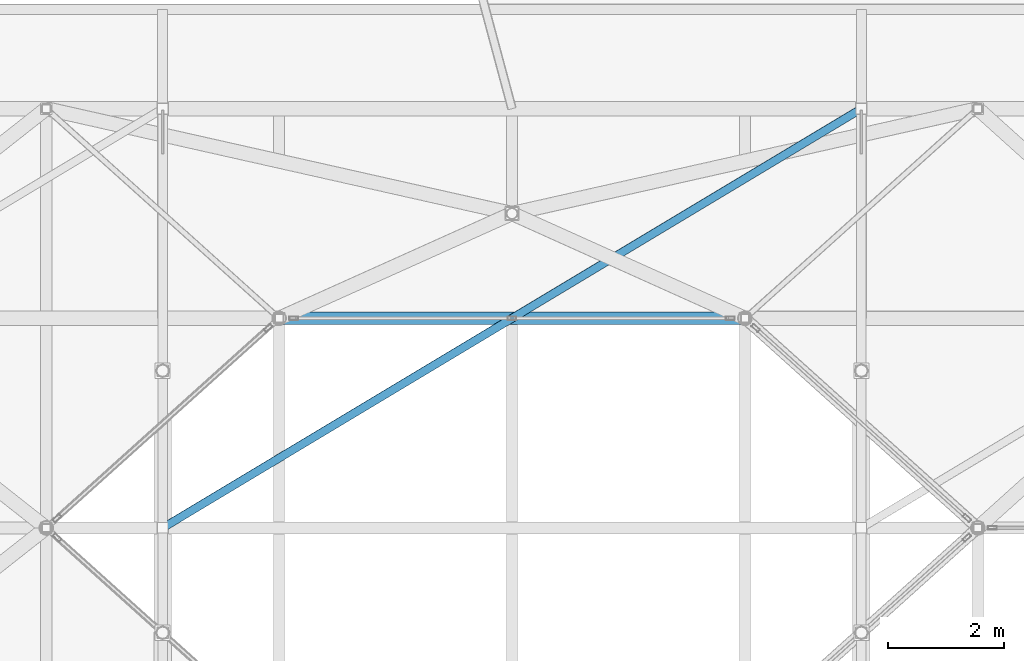
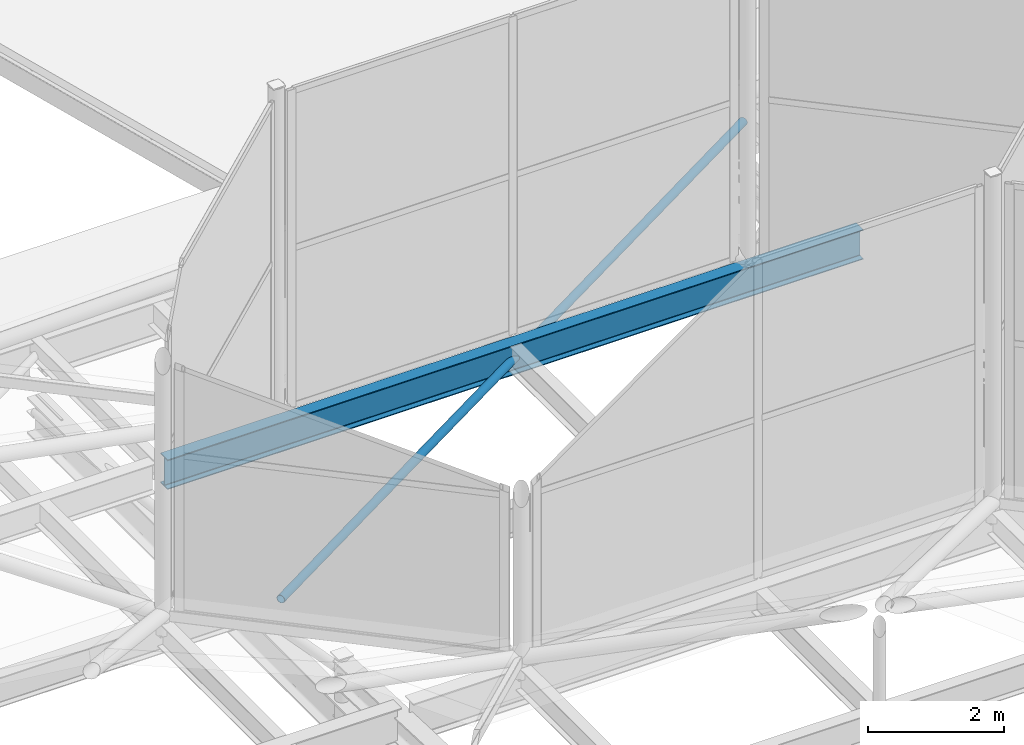
# One storey, part 73 of 239: 1 beam, 1 member.
"""IFC4 building model written with IfcOpenShell, lengths in metres."""

import ifcopenshell
import ifcopenshell.guid

model = None  # the IFC model being written
_history = None  # IfcOwnerHistory: only IFC2X3 demands one
_inside = {}  # id of a spatial element -> (the spatial element, [elements in it])
_under = {}  # id of a project, library or spatial element -> (it, [spatial elements below it])
_declared = {}  # id of a project -> (the project, [libraries it declares])
_typed = {}  # id of a type object -> (the type object, [elements of that type])
_made_of = {}  # id of a material, layer set ... -> (it, [elements and type objects made of it])


def new_model(schema):
    """Start an empty IFC model of exactly this schema.

    Asked for "IFC4X3", IfcOpenShell would pick the latest addendum, in which some entities
    have other attributes; the version numbers below select the first issue.
    IFC2X3 requires an IfcOwnerHistory on every rooted entity: one is made here for all.
    """
    global model, _history
    if schema == "IFC4X3":
        model = ifcopenshell.file(schema_version=(4, 3, 0, 0))
    else:
        model = ifcopenshell.file(schema=schema)
    _inside.clear()
    _under.clear()
    _declared.clear()
    _typed.clear()
    _made_of.clear()
    _history = None
    if model.schema == "IFC2X3":
        org = make("IfcOrganization", Name="unknown")
        user = make(
            "IfcPersonAndOrganization",
            ThePerson=make("IfcPerson", FamilyName="unknown"),
            TheOrganization=org,
        )
        app = make(
            "IfcApplication",
            ApplicationDeveloper=org,
            Version="unknown",
            ApplicationFullName="unknown",
            ApplicationIdentifier="unknown",
        )
        _history = make(
            "IfcOwnerHistory",
            OwningUser=user,
            OwningApplication=app,
            ChangeAction="ADDED",
            CreationDate=0,
        )
    return model


def make(cls, **values):
    """One entity of the class cls with the attributes given. An attribute that is None is left unset."""
    return model.create_entity(
        cls, **{name: value for name, value in values.items() if value is not None}
    )


def rooted(cls, **values):
    """An entity with a GlobalId (a new one), such as an element, a storey or a relation."""
    return make(cls, GlobalId=ifcopenshell.guid.new(), OwnerHistory=_history, **values)


def si_unit(unit_type, name, prefix=None):
    """IfcSIUnit, for example si_unit("LENGTHUNIT", "METRE", prefix="MILLI")."""
    return make("IfcSIUnit", UnitType=unit_type, Prefix=prefix, Name=name)


def assignment(units):
    """IfcUnitAssignment: the units of a project."""
    return None if units is None else make("IfcUnitAssignment", Units=units)


def point(xyz):
    """IfcCartesianPoint."""
    return None if xyz is None else make("IfcCartesianPoint", Coordinates=xyz)


def direction(xyz):
    """IfcDirection."""
    return None if xyz is None else make("IfcDirection", DirectionRatios=xyz)


def frame(location, z_axis=None, x_axis=None):
    """IfcAxis2Placement3D, a coordinate frame: its origin and axes. An axis left out is left unset."""
    return make(
        "IfcAxis2Placement3D",
        Location=point(location),
        Axis=direction(z_axis),
        RefDirection=direction(x_axis),
    )


def frame_2d(location, x_axis=None):
    """IfcAxis2Placement2D, a coordinate frame in the plane: its origin and x axis."""
    return make(
        "IfcAxis2Placement2D", Location=point(location), RefDirection=direction(x_axis)
    )


def origin():
    """The frame at (0, 0, 0) with its axes left unset."""
    return frame((0.0, 0.0, 0.0))


def origin_2d():
    """The frame at (0, 0) in the plane with its x axis left unset."""
    return frame_2d((0.0, 0.0))


def place(relative_to, where):
    """IfcLocalPlacement: puts the frame where relative to a parent placement (None: the world)."""
    return make(
        "IfcLocalPlacement", PlacementRelTo=relative_to, RelativePlacement=where
    )


def context(
    kind, dimensions, precision=None, world=None, true_north=None, identifier=None
):
    """IfcGeometricRepresentationContext, for example the 3D "Model" context."""
    return make(
        "IfcGeometricRepresentationContext",
        ContextIdentifier=identifier,
        ContextType=kind,
        CoordinateSpaceDimension=dimensions,
        Precision=precision,
        WorldCoordinateSystem=world,
        TrueNorth=true_north,
    )


def subcontext(parent, identifier, kind, view, scale=None):
    """IfcGeometricRepresentationSubContext, for example "Body" below "Model"."""
    return make(
        "IfcGeometricRepresentationSubContext",
        ContextIdentifier=identifier,
        ContextType=kind,
        ParentContext=parent,
        TargetScale=scale,
        TargetView=view,
    )


def project(units=None, contexts=None):
    """IfcProject with its units and contexts."""
    return rooted(
        "IfcProject",
        Name="project",
        RepresentationContexts=contexts,
        UnitsInContext=assignment(units),
    )


def spatial(cls, under=None, at=None, **own):
    """A site, building, storey or space (cls), placed at a placement, below another one or the project."""
    s = rooted(cls, ObjectPlacement=at, **own)
    if under is not None:
        _under.setdefault(under.id(), (under, []))[1].append(s)
    return s


def profile(cls, at=None, kind="AREA", **sizes):
    """A parametric profile (cls). Its sizes go by their IFC names, for example OverallWidth=200.0."""
    return make(cls, ProfileType=kind, Position=at, **sizes)


def hollow_circle(**sizes):
    """IfcCircleHollowProfileDef."""
    return profile("IfcCircleHollowProfileDef", **sizes)


def i_section(**sizes):
    """IfcIShapeProfileDef."""
    return profile("IfcIShapeProfileDef", **sizes)


def extrude(swept, where, along, depth):
    """IfcExtrudedAreaSolid: the profile swept, set in the frame where, extruded along a direction by depth."""
    return make(
        "IfcExtrudedAreaSolid",
        SweptArea=swept,
        Position=where,
        ExtrudedDirection=direction(along),
        Depth=depth,
    )


def shape(context_of_items, identifier, shape_type, items):
    """IfcShapeRepresentation: the items that make up one representation, for example the "Body"."""
    return make(
        "IfcShapeRepresentation",
        ContextOfItems=context_of_items,
        RepresentationIdentifier=identifier,
        RepresentationType=shape_type,
        Items=items,
    )


def material(Name=None, Category=None):
    """IfcMaterial."""
    return make("IfcMaterial", Name=Name, Category=Category)


def material_profile(
    of_material, cross_section, Name=None, Category=None, Priority=None
):
    """IfcMaterialProfile: a cross section and its material."""
    return make(
        "IfcMaterialProfile",
        Name=Name,
        Material=of_material,
        Profile=cross_section,
        Priority=Priority,
        Category=Category,
    )


def profile_set(profiles, Name=None, composite=None):
    """IfcMaterialProfileSet."""
    return make(
        "IfcMaterialProfileSet",
        Name=Name,
        MaterialProfiles=profiles,
        CompositeProfile=composite,
    )


def made_of(thing, what):
    """Note that an element or type object is made of a material, layer set ...; save() writes the relation."""
    if what is not None:
        _made_of.setdefault(what.id(), (what, []))[1].append(thing)
    return thing


def type_object(cls, material=None, **own):
    """A type object (cls), such as IfcWallType, which elements share."""
    return made_of(rooted(cls, **own), material)


def element(
    cls,
    number,
    at=None,
    inside=None,
    cuts=None,
    type_object=None,
    material=None,
    context=None,
    identifier="Body",
    shape_type=None,
    held_by="IfcProductDefinitionShape",
    body=None,
    shapes=None,
    **own,
):
    """One element of the class cls, such as IfcWall. Its Tag is "e" and its number.

    at: its placement. inside: the storey or other place that contains it. cuts: it is an
    opening in that element (IfcRelVoidsElement). A single representation is given by context,
    identifier, shape_type and body (its items); several are given by shapes. held_by: the class
    of the entity that holds the representations. save() writes the other relations.
    """
    e = rooted(cls, Tag="e%d" % number, ObjectPlacement=at, **own)
    if body is not None:
        shapes = [shape(context, identifier, shape_type, body)]
    if shapes is not None:
        e.Representation = make(held_by, Representations=shapes)
    if inside is not None:
        _inside.setdefault(inside.id(), (inside, []))[1].append(e)
    if cuts is not None:
        rooted(
            "IfcRelVoidsElement", RelatingBuildingElement=cuts, RelatedOpeningElement=e
        )
    if type_object is not None:
        _typed.setdefault(type_object.id(), (type_object, []))[1].append(e)
    return made_of(e, material)


def aggregate(whole, parts):
    """IfcRelAggregates: a whole, such as a stair, and the parts it consists of."""
    return rooted("IfcRelAggregates", RelatingObject=whole, RelatedObjects=parts)


def save(model, path):
    """Write the relations noted so far, then the file.

    IfcRelAggregates (storeys below a building ...), IfcRelContainedInSpatialStructure (elements
    in a storey), IfcRelDefinesByType, IfcRelAssociatesMaterial and IfcRelDeclares: one each for
    every whole, place, type object, material and project.
    """
    for whole, parts in _under.values():
        aggregate(whole, parts)
    for where, things in _inside.values():
        rooted(
            "IfcRelContainedInSpatialStructure",
            RelatedElements=things,
            RelatingStructure=where,
        )
    for kind, things in _typed.values():
        rooted("IfcRelDefinesByType", RelatedObjects=things, RelatingType=kind)
    for what, things in _made_of.values():
        rooted("IfcRelAssociatesMaterial", RelatedObjects=things, RelatingMaterial=what)
    for by, libraries in _declared.values():
        rooted("IfcRelDeclares", RelatingContext=by, RelatedDefinitions=libraries)
    model.write(path)


model = new_model("IFC4")

# Units and contexts
model_context = context("Model", 3, precision=1e-05, world=origin(), true_north=direction((0.0, 1.0)))
body_context = subcontext(model_context, "Body", "Model", "MODEL_VIEW")
ifc_project = project(units=[si_unit("LENGTHUNIT", "METRE"), si_unit("AREAUNIT", "SQUARE_METRE"), si_unit("VOLUMEUNIT", "CUBIC_METRE"), si_unit("PLANEANGLEUNIT", "RADIAN"), si_unit("MASSUNIT", "GRAM", prefix="KILO")], contexts=[model_context])

# Site, building, storey
site_placement = place(None, origin())
site = spatial("IfcSite", under=ifc_project, at=site_placement, CompositionType="ELEMENT")
building_placement = place(site_placement, origin())
building = spatial("IfcBuilding", under=site, at=building_placement, Name="Dunvalen Ferry Terminal", CompositionType="ELEMENT")
storey_placement = place(building_placement, frame((0.0, 0.0, 9.840087890625)))
storey = spatial("IfcBuildingStorey", under=building, at=storey_placement, Name="L02", CompositionType="ELEMENT", Elevation=9.840087890625)

# Beam
ifc_material = material(Name="Steel S355", Category="steel")
ifc_material_profile_1 = material_profile(ifc_material, i_section(OverallWidth=0.209228515625, OverallDepth=0.533203125, WebThickness=0.010009765625, FlangeThickness=0.015625, FilletRadius=0.0126953125, at=origin_2d()), Name="Steel S355")
ifc_profile_set_1 = profile_set([ifc_material_profile_1], Name="Steel S355")
beam_type = type_object("IfcBeamType", Name="STR-BM-UKB533", PredefinedType="BEAM", material=ifc_profile_set_1)
beam_placement = place(storey_placement, frame((24.10009765625, 82.800048828125, 0.7333984375), z_axis=(1.0, 0.0, 0.0), x_axis=(0.0, 1.0, 0.0)))
element("IfcBeam", 1, at=beam_placement, inside=storey, type_object=beam_type, Name="Departure Hall Spine Girder B2.10", PredefinedType="BEAM", context=body_context, shape_type="SweptSolid", body=[
    extrude(i_section(OverallWidth=0.209228515625, OverallDepth=0.533203125, WebThickness=0.010009765625, FlangeThickness=0.015625, FilletRadius=0.0126953125, at=origin_2d()), origin(), (0.0, 0.0, 1.0), 11.7998046875),
])

# Member
ifc_material_profile_2 = material_profile(ifc_material, hollow_circle(Radius=0.06982421875, WallThickness=0.00634765625, at=origin_2d()), Name="Steel S355")
ifc_profile_set_2 = profile_set([ifc_material_profile_2], Name="Steel S355")
member_type = type_object("IfcMemberType", Name="STR-MB-CHS139", PredefinedType="BRACE", material=ifc_profile_set_2)
member_placement = place(storey_placement, frame((24.0, 79.199951171875, 0.659912109375), z_axis=(0.857494465041, 0.514493189871, 0.0), x_axis=(-0.514493189871, 0.857494465041, 0.0)))
element("IfcMember", 2, at=member_placement, inside=storey, type_object=member_type, Name="Departure Hall Roof Wind Brace 2A", PredefinedType="BRACE", context=body_context, shape_type="SweptSolid", body=[
    extrude(hollow_circle(Radius=0.06982421875, WallThickness=0.00634765625, at=origin_2d()), origin(), (0.0, 0.0, 1.0), 13.994140625),
])

save(model, "model.ifc")
